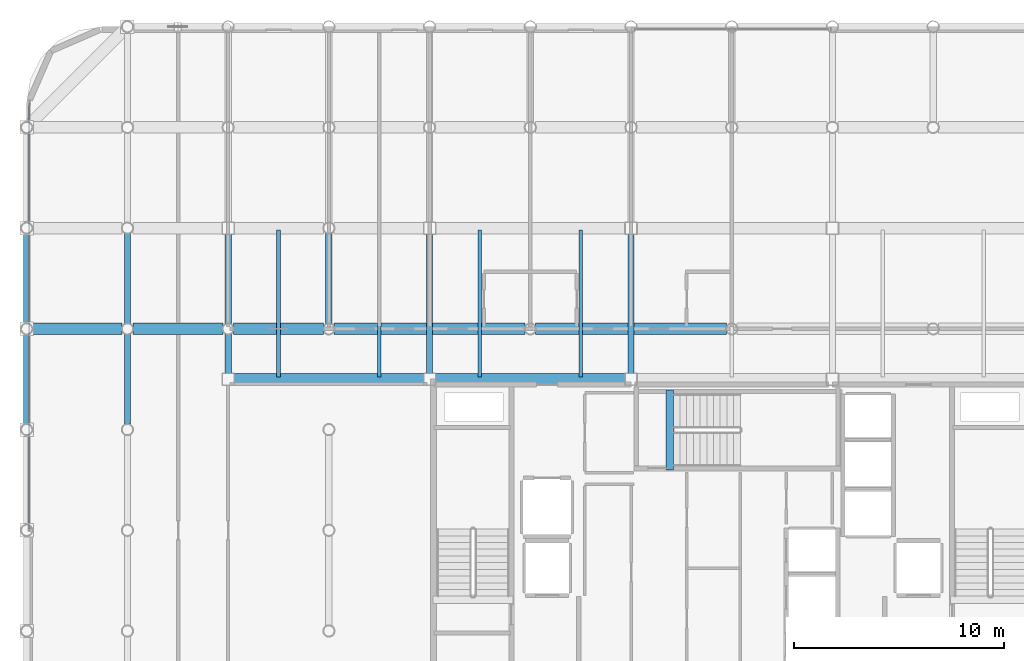
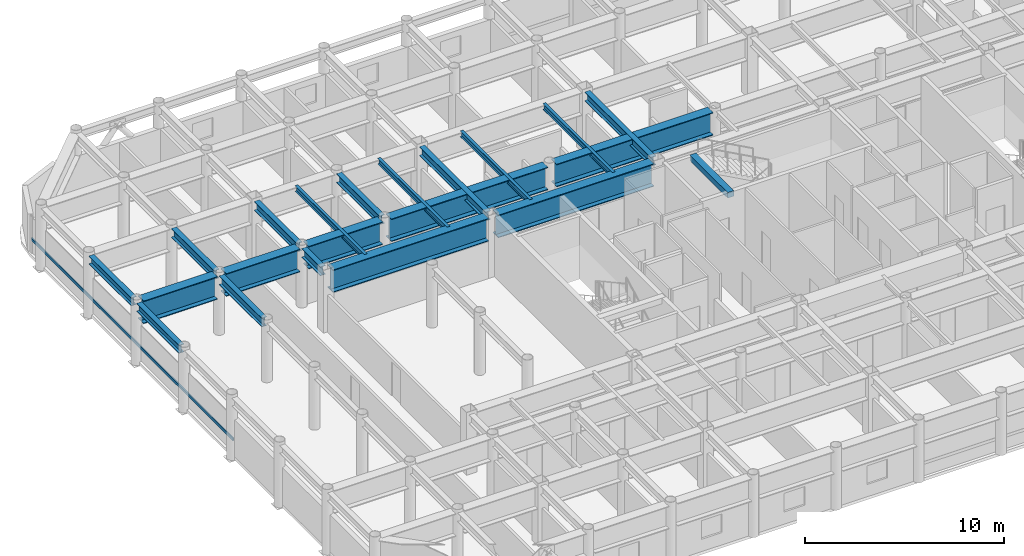
# One storey, part 7 of 25: 21 beams, 1 member, 1 element without a shape of its own.
"""IFC4 building model written with IfcOpenShell, lengths in metres."""

from ifc_helpers import new_model, si_unit, direction, frame, origin, origin_2d, place, context, subcontext, project, spatial, rectangle, hollow_rectangle, i_section, extrude, material, layer, layer_set, material_profile, profile_set, type_object, element, aggregate, save


model = new_model("IFC4")

# Units and contexts
model_context = context("Model", 3, precision=1e-05, world=origin(), true_north=direction((0.0, 1.0)))
body_context = subcontext(model_context, "Body", "Model", "MODEL_VIEW")
ifc_project = project(units=[si_unit("LENGTHUNIT", "METRE"), si_unit("AREAUNIT", "SQUARE_METRE"), si_unit("VOLUMEUNIT", "CUBIC_METRE"), si_unit("PLANEANGLEUNIT", "RADIAN"), si_unit("MASSUNIT", "GRAM", prefix="KILO")], contexts=[model_context])

# Site, building, storey
site_placement = place(None, origin())
site = spatial("IfcSite", under=ifc_project, at=site_placement, CompositionType="ELEMENT")
building_placement = place(site_placement, origin())
building = spatial("IfcBuilding", under=site, at=building_placement, Name="Kallvorn Hotel Tower", CompositionType="ELEMENT")
storey_placement = place(building_placement, frame((0.0, 0.0, 249.25)))
storey = spatial("IfcBuildingStorey", under=building, at=storey_placement, Name="L62", CompositionType="ELEMENT", Elevation=249.25)

# Beams
ifc_material_1 = material(Name="Structural steel S355JR", Category="steel")
ifc_material_profile_1 = material_profile(ifc_material_1, i_section(OverallWidth=0.300048828125, OverallDepth=0.5, WebThickness=0.014404296875, FlangeThickness=0.028076171875, at=origin_2d()), Name="HE 500 B")
ifc_profile_set_1 = profile_set([ifc_material_profile_1], Name="Structural steel S355JR")
beam_type_1 = type_object("IfcBeamType", Name="BM_HE500B", PredefinedType="SPANDREL", material=ifc_profile_set_1)
beam_1_placement = place(storey_placement, frame((-33.60009765625, 5.069580078125, 3.419921875), z_axis=(0.0, 1.0, 0.0), x_axis=(-1.0, 0.0, 0.0)))
element("IfcBeam", 1, at=beam_1_placement, inside=storey, type_object=beam_type_1, Name="L63 Perimeter Spandrel 178", PredefinedType="SPANDREL", context=body_context, shape_type="SweptSolid", body=[
    extrude(i_section(OverallWidth=0.300048828125, OverallDepth=0.5, WebThickness=0.014404296875, FlangeThickness=0.028076171875, at=origin_2d()), origin(), (0.0, 0.0, 1.0), 4.260986328125),
])
beam_2_placement = place(storey_placement, frame((-33.60009765625, 9.869384765625, 3.419921875), z_axis=(0.0, 1.0, 0.0), x_axis=(-1.0, 0.0, 0.0)))
element("IfcBeam", 2, at=beam_2_placement, inside=storey, type_object=beam_type_1, Name="L63 Perimeter Spandrel 179", PredefinedType="SPANDREL", context=body_context, shape_type="SweptSolid", body=[
    extrude(i_section(OverallWidth=0.300048828125, OverallDepth=0.5, WebThickness=0.014404296875, FlangeThickness=0.028076171875, at=origin_2d()), origin(), (0.0, 0.0, 1.0), 4.26123046875),
])
ifc_material_2 = material(Name="Structural steel S355JR", Category="steel")
ifc_material_profile_2 = material_profile(ifc_material_2, i_section(OverallWidth=0.300048828125, OverallDepth=0.550048828125, WebThickness=0.014892578125, FlangeThickness=0.029052734375, at=origin_2d()), Name="HE 550 B")
ifc_profile_set_2 = profile_set([ifc_material_profile_2], Name="Structural steel S355JR")
beam_type_2 = type_object("IfcBeamType", Name="BM_HE550B", PredefinedType="SPANDREL", material=ifc_profile_set_2)
for number, where, z_axis, x_axis, name in (
    (3, (-28.800048828125, 5.054443359375, 3.39501953125), (0.0, 1.0, 0.0), (-1.0, 0.0, 0.0), "L63 Primary Y-Girder 78"),
    (4, (-28.800048828125, 9.8544921875, 3.39501953125), (0.0, 1.0, 0.0), (-1.0, 0.0, 0.0), "L63 Primary Y-Girder 79"),
):
    element("IfcBeam", number, at=place(storey_placement, frame(where, z_axis=z_axis, x_axis=x_axis)), inside=storey, type_object=beam_type_2, Name=name, PredefinedType="SPANDREL", context=body_context, shape_type="SweptSolid", body=[
        extrude(i_section(OverallWidth=0.300048828125, OverallDepth=0.550048828125, WebThickness=0.014892578125, FlangeThickness=0.029052734375, at=origin_2d()), origin(), (0.0, 0.0, 1.0), 4.291015625),
    ])
beam_3_placement = place(storey_placement, frame((-24.0, 7.47509765625, 3.39501953125), z_axis=(0.0, 1.0, 0.0), x_axis=(-1.0, 0.0, 0.0)))
element("IfcBeam", 5, at=beam_3_placement, inside=storey, type_object=beam_type_2, Name="L63 Primary Y-Girder 85", PredefinedType="SPANDREL", context=body_context, shape_type="SweptSolid", body=[
    extrude(i_section(OverallWidth=0.300048828125, OverallDepth=0.550048828125, WebThickness=0.014892578125, FlangeThickness=0.029052734375, at=origin_2d()), origin(), (0.0, 0.0, 1.0), 1.870361328125),
])
beam_4_placement = place(storey_placement, frame((-24.0, 9.8544921875, 3.39501953125), z_axis=(0.0, 1.0, 0.0), x_axis=(-1.0, 0.0, 0.0)))
element("IfcBeam", 6, at=beam_4_placement, inside=storey, type_object=beam_type_2, Name="L63 Primary Y-Girder 86", PredefinedType="SPANDREL", context=body_context, shape_type="SweptSolid", body=[
    extrude(i_section(OverallWidth=0.300048828125, OverallDepth=0.550048828125, WebThickness=0.014892578125, FlangeThickness=0.029052734375, at=origin_2d()), origin(), (0.0, 0.0, 1.0), 4.2705078125),
])
beam_5_placement = place(storey_placement, frame((-19.199951171875, 9.8544921875, 3.39501953125), z_axis=(0.0, 1.0, 0.0), x_axis=(-1.0, 0.0, 0.0)))
element("IfcBeam", 7, at=beam_5_placement, inside=storey, type_object=beam_type_2, Name="L63 Primary Y-Girder 95", PredefinedType="SPANDREL", context=body_context, shape_type="SweptSolid", body=[
    extrude(i_section(OverallWidth=0.300048828125, OverallDepth=0.550048828125, WebThickness=0.014892578125, FlangeThickness=0.029052734375, at=origin_2d()), origin(), (0.0, 0.0, 1.0), 4.291015625),
])
for number, where, z_axis, x_axis, name in (
    (8, (-14.39990234375, 7.47509765625, 3.39501953125), (0.0, 1.0, 0.0), (-1.0, 0.0, 0.0), "L63 Primary Y-Girder 100"),
    (9, (-4.800048828125, 7.47509765625, 3.39501953125), (0.0, 1.0, 0.0), (-1.0, 0.0, 0.0), "L63 Primary Y-Girder 108"),
):
    element("IfcBeam", number, at=place(storey_placement, frame(where, z_axis=z_axis, x_axis=x_axis)), inside=storey, type_object=beam_type_2, Name=name, PredefinedType="SPANDREL", context=body_context, shape_type="SweptSolid", body=[
        extrude(i_section(OverallWidth=0.300048828125, OverallDepth=0.550048828125, WebThickness=0.014892578125, FlangeThickness=0.029052734375, at=origin_2d()), origin(), (0.0, 0.0, 1.0), 6.64990234375),
    ])
ifc_material_3 = material(Name="Structural steel S355JR", Category="steel")
ifc_material_profile_3 = material_profile(ifc_material_3, i_section(OverallWidth=0.169921875, OverallDepth=0.360107421875, WebThickness=0.008056640625, FlangeThickness=0.0126953125, at=origin_2d()), Name="IPE 360")
ifc_profile_set_3 = profile_set([ifc_material_profile_3], Name="Structural steel S355JR")
beam_type_3 = type_object("IfcBeamType", Name="BM_IPE360", PredefinedType="JOIST", material=ifc_profile_set_3)
for number, where, z_axis, x_axis, name in (
    (10, (-21.60009765625, 7.300048828125, 3.489990234375), (0.0, 1.0, 0.0), (-1.0, 0.0, 0.0), "L63 Secondary Composite Joist 193"),
    (11, (-16.800048828125, 7.300048828125, 3.489990234375), (0.0, 1.0, 0.0), (-1.0, 0.0, 0.0), "L63 Secondary Composite Joist 195"),
    (12, (-12.0, 7.300048828125, 3.489990234375), (0.0, 1.0, 0.0), (-1.0, 0.0, 0.0), "L63 Secondary Composite Joist 197"),
    (13, (-7.199951171875, 7.300048828125, 3.489990234375), (0.0, 1.0, 0.0), (-1.0, 0.0, 0.0), "L63 Secondary Composite Joist 199"),
):
    element("IfcBeam", number, at=place(storey_placement, frame(where, z_axis=z_axis, x_axis=x_axis)), inside=storey, type_object=beam_type_3, Name=name, PredefinedType="JOIST", context=body_context, shape_type="SweptSolid", body=[
        extrude(i_section(OverallWidth=0.169921875, OverallDepth=0.360107421875, WebThickness=0.008056640625, FlangeThickness=0.0126953125, at=origin_2d()), origin(), (0.0, 0.0, 1.0), 7.0),
    ])
ifc_material_4 = material(Name="Structural steel S355JR", Category="steel")
ifc_material_profile_4 = material_profile(ifc_material_4, i_section(OverallWidth=0.550048828125, OverallDepth=1.39990234375, WebThickness=0.02490234375, FlangeThickness=0.044921875, at=origin_2d()), Name="PG 1400x550x25x45")
ifc_profile_set_4 = profile_set([ifc_material_profile_4], Name="Structural steel S355JR")
beam_type_4 = type_object("IfcBeamType", Name="BM_PG_1400", PredefinedType="BEAM", material=ifc_profile_set_4)
for number, where, z_axis, x_axis, name in (
    (14, (-23.72509765625, 7.199951171875, 2.969970703125), (1.0, 0.0, 0.0), (0.0, 1.0, 0.0), "L63 Primary X-Girder 36"),
    (15, (-14.125, 7.199951171875, 2.969970703125), (1.0, 0.0, 0.0), (0.0, 1.0, 0.0), "L63 Primary X-Girder 37"),
):
    element("IfcBeam", number, at=place(storey_placement, frame(where, z_axis=z_axis, x_axis=x_axis)), inside=storey, type_object=beam_type_4, Name=name, PredefinedType="BEAM", context=body_context, shape_type="SweptSolid", body=[
        extrude(i_section(OverallWidth=0.550048828125, OverallDepth=1.39990234375, WebThickness=0.02490234375, FlangeThickness=0.044921875, at=origin_2d()), origin(), (0.0, 0.0, 1.0), 9.050048828125),
    ])
for number, where, z_axis, x_axis, name in (
    (16, (-33.345458984375, 9.60009765625, 2.969970703125), (1.0, 0.0, 0.0), (0.0, 1.0, 0.0), "L63 Primary X-Girder 41"),
    (17, (-28.54541015625, 9.60009765625, 2.969970703125), (1.0, 0.0, 0.0), (0.0, 1.0, 0.0), "L63 Primary X-Girder 42"),
    (18, (-23.74560546875, 9.60009765625, 2.969970703125), (1.0, 0.0, 0.0), (0.0, 1.0, 0.0), "L63 Primary X-Girder 43"),
):
    element("IfcBeam", number, at=place(storey_placement, frame(where, z_axis=z_axis, x_axis=x_axis)), inside=storey, type_object=beam_type_4, Name=name, PredefinedType="BEAM", context=body_context, shape_type="SweptSolid", body=[
        extrude(i_section(OverallWidth=0.550048828125, OverallDepth=1.39990234375, WebThickness=0.02490234375, FlangeThickness=0.044921875, at=origin_2d()), origin(), (0.0, 0.0, 1.0), 4.291015625),
    ])
for number, where, z_axis, x_axis, name in (
    (19, (-18.945556640625, 9.60009765625, 2.969970703125), (1.0, 0.0, 0.0), (0.0, 1.0, 0.0), "L63 Primary X-Girder 44"),
    (20, (-9.345458984375, 9.60009765625, 2.969970703125), (1.0, 0.0, 0.0), (0.0, 1.0, 0.0), "L63 Primary X-Girder 45"),
):
    element("IfcBeam", number, at=place(storey_placement, frame(where, z_axis=z_axis, x_axis=x_axis)), inside=storey, type_object=beam_type_4, Name=name, PredefinedType="BEAM", context=body_context, shape_type="SweptSolid", body=[
        extrude(i_section(OverallWidth=0.550048828125, OverallDepth=1.39990234375, WebThickness=0.02490234375, FlangeThickness=0.044921875, at=origin_2d()), origin(), (0.0, 0.0, 1.0), 9.091064453125),
    ])
ifc_material_5 = material(Name="Concrete C50/60", Category="concrete")
ifc_material_profile_5 = material_profile(ifc_material_5, rectangle(XDim=0.360107421875, YDim=0.340087890625, at=origin_2d()), Name="RC 360x340")
ifc_profile_set_5 = profile_set([ifc_material_profile_5], Name="Concrete C50/60")
beam_type_5 = type_object("IfcBeamType", Name="BM_RC_400x360", PredefinedType="BEAM", material=ifc_profile_set_5)
beam_6_placement = place(storey_placement, frame((-2.9599609375, 2.8701171875, 3.5), z_axis=(0.0, 1.0, 0.0), x_axis=(-1.0, 0.0, 0.0)))
element("IfcBeam", 21, at=beam_6_placement, inside=storey, type_object=beam_type_5, Name="L63 Stair ST3 Arrival Trimmer Beam", PredefinedType="BEAM", context=body_context, shape_type="SweptSolid", body=[
    extrude(rectangle(XDim=0.360107421875, YDim=0.340087890625, at=origin_2d()), origin(), (0.0, 0.0, 1.0), 3.81982421875),
])

# Curtain wall, member
ifc_material_6 = material(Name="Thermally broken black-anodised aluminium AA 6063-T6", Category="aluminium")
ifc_layer = layer(ifc_material_6, 0.22998046875)
ifc_layer_set = layer_set([ifc_layer], Name="CW_SYS_5_HOTEL_HIGH")
curtain_wall_type = type_object("IfcCurtainWallType", Name="CW_SYS_5_HOTEL_HIGH", PredefinedType="USERDEFINED", material=ifc_layer_set)
curtain_wall_placement = place(storey_placement, origin())
curtain_wall = element("IfcCurtainWall", 22, at=curtain_wall_placement, inside=storey, type_object=curtain_wall_type, Name="L62 Dark-Glass Curtain Wall CW-L62-WN", ObjectType="UNITISED CURTAIN WALL", PredefinedType="USERDEFINED")
ifc_material_7 = material(Name="Thermally broken black-anodised aluminium AA 6063-T6", Category="aluminium")
ifc_material_profile_6 = material_profile(ifc_material_7, hollow_rectangle(XDim=0.070068359375, YDim=0.179931640625, WallThickness=0.00390625, at=origin_2d()), Name="TRN 180x70")
ifc_profile_set_6 = profile_set([ifc_material_profile_6], Name="Thermally broken black-anodised aluminium AA 6063-T6")
member_type = type_object("IfcMemberType", Name="CW_TRANSOM_180x70", PredefinedType="USERDEFINED", material=ifc_profile_set_6)
member_placement = place(storey_placement, frame((-33.47998046875, 0.06005859375, 0.85009765625), z_axis=(0.0, 1.0, 0.0), x_axis=(-1.0, 0.0, 0.0)))
member = element("IfcMember", 23, at=member_placement, type_object=member_type, Name="CW-L62-WN Transom 00M", ObjectType="TRANSOM", PredefinedType="USERDEFINED", context=body_context, shape_type="SweptSolid", body=[
    extrude(hollow_rectangle(XDim=0.070068359375, YDim=0.179931640625, WallThickness=0.00390625, at=origin_2d()), origin(), (0.0, 0.0, 1.0), 20.300048828125),
])
aggregate(curtain_wall, [member])

save(model, "model.ifc")
